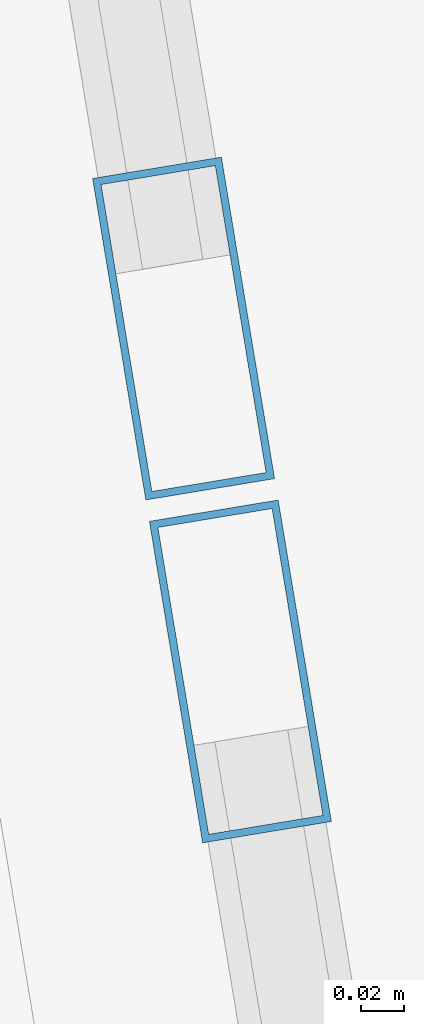
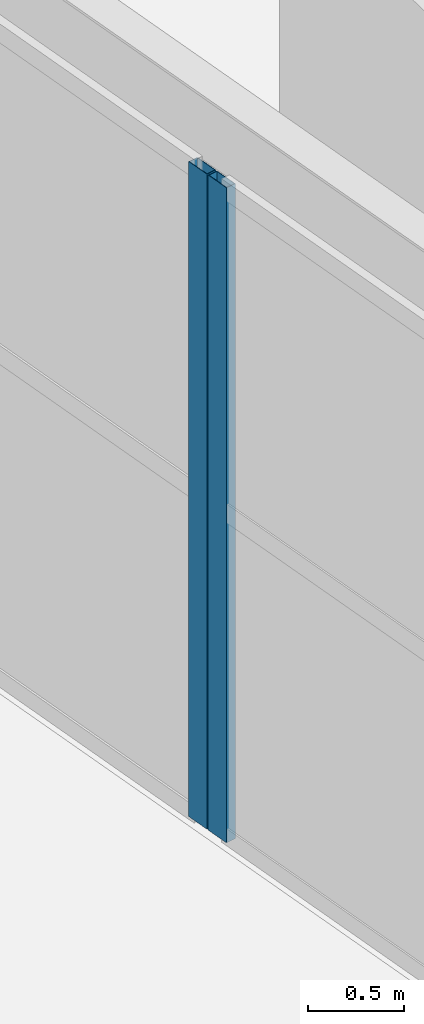
# One storey, part 29 of 126: 2 members, 2 elements without a shape of their own.
"""IFC4 building model written with IfcOpenShell, lengths in metres."""

from ifc_helpers import new_model, si_unit, direction, frame, origin, origin_2d, place, context, subcontext, project, spatial, hollow_rectangle, extrude, material, layer, layer_set, material_profile, profile_set, type_object, element, aggregate, save


model = new_model("IFC4")

# Units and contexts
model_context = context("Model", 3, precision=1e-05, world=origin(), true_north=direction((0.0, 1.0)))
body_context = subcontext(model_context, "Body", "Model", "MODEL_VIEW")
ifc_project = project(units=[si_unit("LENGTHUNIT", "METRE"), si_unit("AREAUNIT", "SQUARE_METRE"), si_unit("VOLUMEUNIT", "CUBIC_METRE"), si_unit("PLANEANGLEUNIT", "RADIAN"), si_unit("MASSUNIT", "GRAM", prefix="KILO")], contexts=[model_context])

# Site, building, storey
site_placement = place(None, origin())
site = spatial("IfcSite", under=ifc_project, at=site_placement, CompositionType="ELEMENT")
building_placement = place(site_placement, origin())
building = spatial("IfcBuilding", under=site, at=building_placement, Name="Kalgoora Escarpment Arena", CompositionType="ELEMENT")
storey_placement = place(building_placement, frame((0.0, 0.0, 18.89990234375)))
storey = spatial("IfcBuildingStorey", under=building, at=storey_placement, Name="L04", CompositionType="ELEMENT", Elevation=18.89990234375)

# Curtain wall, member
ifc_material_1 = material(Name=" Champagne anodised aluminium & double-glazed low-E", Category="aluminium")
ifc_layer_1 = layer(ifc_material_1, 0.154052734375)
ifc_layer_set_1 = layer_set([ifc_layer_1], Name="CW-UNIT-16")
curtain_wall_type_1 = type_object("IfcCurtainWallType", Name="CW-UNIT-16", PredefinedType="NOTDEFINED", material=ifc_layer_set_1)
curtain_wall_1_placement = place(storey_placement, origin())
curtain_wall_1 = element("IfcCurtainWall", 1, at=curtain_wall_1_placement, inside=storey, type_object=curtain_wall_type_1, Name="L04 unitised facade curtain wall 135", PredefinedType="NOTDEFINED")
ifc_material_2 = material(Name="Anodised aluminium 6063-T6", Category="aluminium")
ifc_material_profile = material_profile(ifc_material_2, hollow_rectangle(XDim=0.06005859375, YDim=0.14990234375, WallThickness=0.00341796875, at=origin_2d()))
ifc_profile_set = profile_set([ifc_material_profile], Name="Anodised aluminium 6063-T6")
member_type = type_object("IfcMemberType", Name="MEM-CW-MULL-150", PredefinedType="MULLION", material=ifc_profile_set)
member_1_placement = place(storey_placement, frame((21.364990234375, 56.48681640625, 0.02001953125), z_axis=(0.0, 0.0, 1.0), x_axis=(-0.986584326831, -0.163252461087, 0.0)))
member_1 = element("IfcMember", 2, at=member_1_placement, type_object=member_type, Name="CW-16 mullion 2", PredefinedType="MULLION", context=body_context, shape_type="SweptSolid", body=[
    extrude(hollow_rectangle(XDim=0.06005859375, YDim=0.14990234375, WallThickness=0.00341796875, at=origin_2d()), origin(), (0.0, 0.0, 1.0), 4.150146484375),
])
aggregate(curtain_wall_1, [member_1])

ifc_material_3 = material(Name=" Champagne anodised aluminium & double-glazed low-E", Category="aluminium")
ifc_layer_2 = layer(ifc_material_3, 0.157958984375)
ifc_layer_set_2 = layer_set([ifc_layer_2], Name="CW-UNIT-17")
curtain_wall_type_2 = type_object("IfcCurtainWallType", Name="CW-UNIT-17", PredefinedType="NOTDEFINED", material=ifc_layer_set_2)
curtain_wall_2_placement = place(storey_placement, origin())
curtain_wall_2 = element("IfcCurtainWall", 3, at=curtain_wall_2_placement, inside=storey, type_object=curtain_wall_type_2, Name="L04 unitised facade curtain wall 136", PredefinedType="NOTDEFINED")
member_2_placement = place(storey_placement, frame((21.3388671875, 56.64453125, 0.02001953125), z_axis=(0.0, 0.0, 1.0), x_axis=(-0.986584326831, -0.163252461087, 0.0)))
member_2 = element("IfcMember", 4, at=member_2_placement, type_object=member_type, Name="CW-17 mullion 1", PredefinedType="MULLION", context=body_context, shape_type="SweptSolid", body=[
    extrude(hollow_rectangle(XDim=0.06005859375, YDim=0.14990234375, WallThickness=0.00341796875, at=origin_2d()), origin(), (0.0, 0.0, 1.0), 4.150146484375),
])
aggregate(curtain_wall_2, [member_2])

save(model, "model.ifc")
